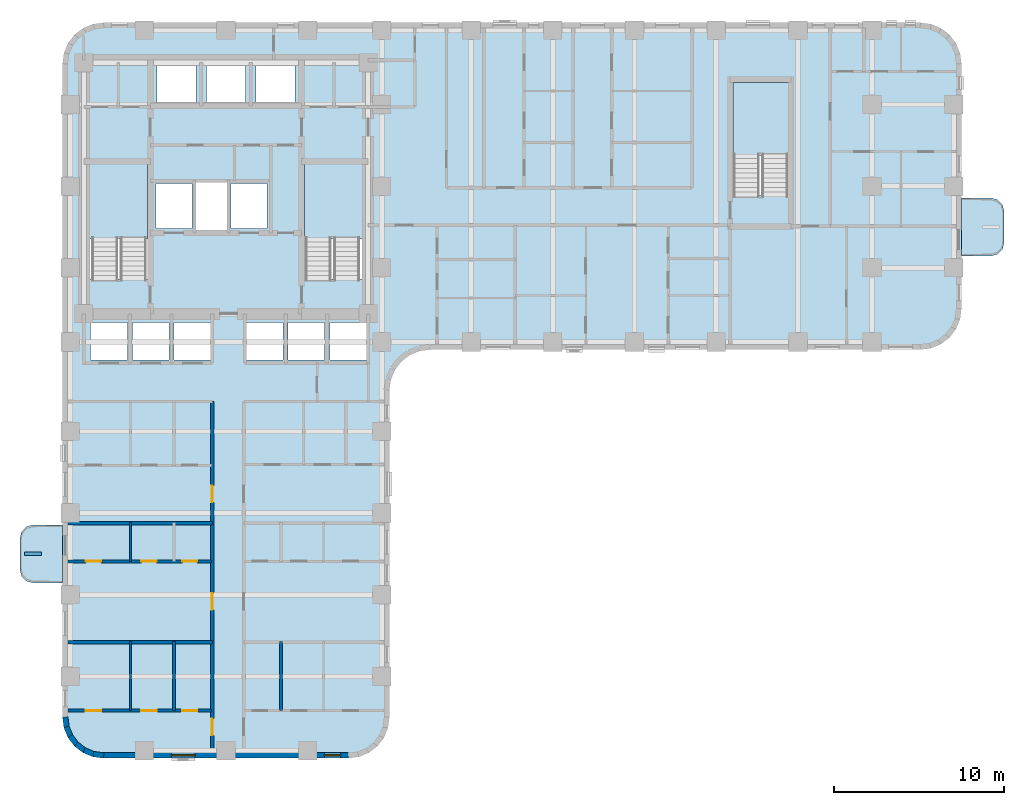
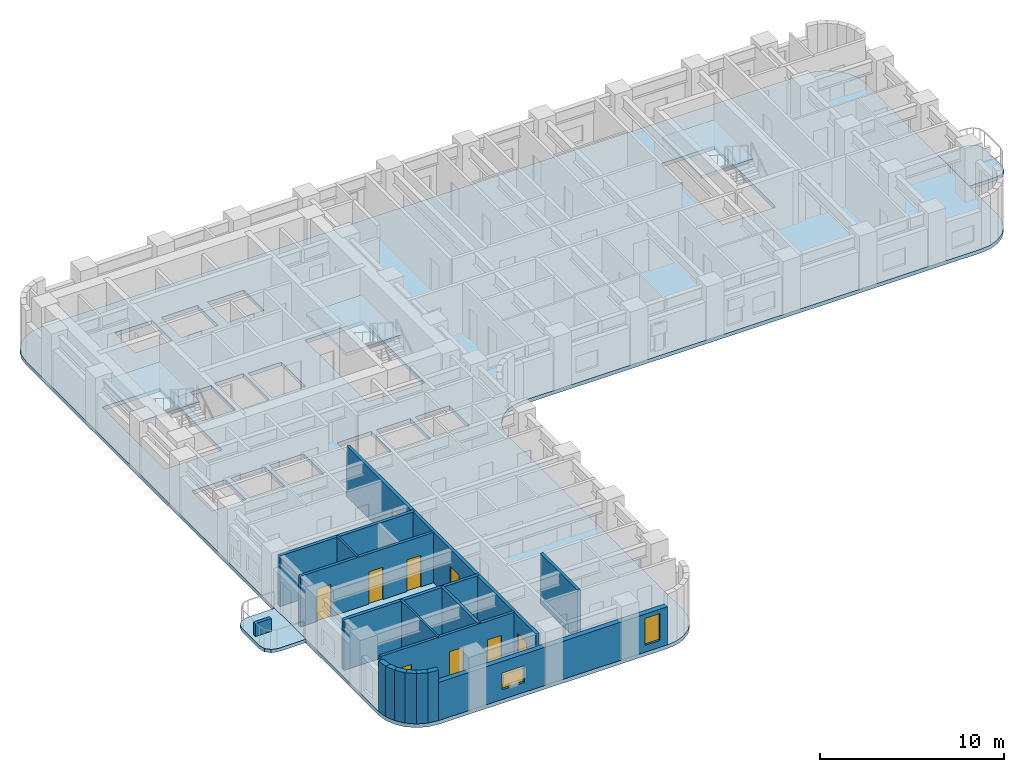
# One storey, part 2 of 10: 17 walls, 9 doors, 6 slabs, 2 windows, 11 openings, 3 elements without a shape of their own.
"""IFC4 building model written with IfcOpenShell, lengths in metres."""

from ifc_helpers import new_model, si_unit, direction, frame, frame_2d, origin, place, context, subcontext, project, spatial, polyline, rectangle, outline, extrude, material, layer, layer_set, type_object, element, fill, aggregate, save


model = new_model("IFC4")

# Units and contexts
model_context = context("Model", 3, precision=1e-05, world=origin(), true_north=direction((0.0, 1.0)))
body_context = subcontext(model_context, "Body", "Model", "MODEL_VIEW")
ifc_project = project(units=[si_unit("LENGTHUNIT", "METRE"), si_unit("AREAUNIT", "SQUARE_METRE"), si_unit("VOLUMEUNIT", "CUBIC_METRE"), si_unit("PLANEANGLEUNIT", "RADIAN"), si_unit("MASSUNIT", "GRAM", prefix="KILO")], contexts=[model_context])

# Site, building, storey
site_placement = place(None, origin())
site = spatial("IfcSite", under=ifc_project, at=site_placement, CompositionType="ELEMENT")
building_placement = place(site_placement, origin())
building = spatial("IfcBuilding", under=site, at=building_placement, Name="Orvandelia Arch Residences", CompositionType="ELEMENT")
storey_placement = place(building_placement, frame((0.0, 0.0, 32.199951171875)))
storey = spatial("IfcBuildingStorey", under=building, at=storey_placement, Name="L07", CompositionType="ELEMENT", Elevation=32.199951171875)

# Slabs
ifc_material_1 = material(Name="Precast concrete C40/50", Category="concrete")
ifc_layer_1 = layer(ifc_material_1, 0.219970703125, Name="Precast concrete C40/50", Category="concrete")
ifc_layer_set_1 = layer_set([ifc_layer_1], Name="Precast concrete C40/50")
slab_type_1 = type_object("IfcSlabType", Name="SLB-BAL-220", PredefinedType="USERDEFINED", material=ifc_layer_set_1)
slab_1_placement = place(storey_placement, frame((0.0, 0.0, -0.219970703125)))
element("IfcSlab", 1, at=slab_1_placement, inside=storey, type_object=slab_type_1, Name="Tree Balcony Cantilever Slab BAL-L07-W1", ObjectType="BALCONY", PredefinedType="USERDEFINED", context=body_context, shape_type="SweptSolid", body=[
    extrude(outline(polyline([(4.800048828125, 15.10009765625), (4.800048828125, 18.5), (3.050048828125, 18.5), (2.675048828125, 18.3994140625), (2.400390625, 18.125), (2.300048828125, 17.75), (2.300048828125, 15.85009765625), (2.400390625, 15.47509765625), (2.675048828125, 15.200439453125), (3.050048828125, 15.10009765625), (4.800048828125, 15.10009765625)])), origin(), (0.0, 0.0, 1.0), 0.219970703125),
])
slab_2_placement = place(storey_placement, frame((0.0, 0.0, -0.219970703125)))
element("IfcSlab", 2, at=slab_2_placement, inside=storey, type_object=slab_type_1, Name="Tree Balcony Cantilever Slab BAL-L07-E1", ObjectType="BALCONY", PredefinedType="USERDEFINED", context=body_context, shape_type="SweptSolid", body=[
    extrude(outline(polyline([(57.60009765625, 37.699951171875), (57.60009765625, 34.300048828125), (59.35009765625, 34.300048828125), (59.72509765625, 34.400390625), (59.99951171875, 34.675048828125), (60.10009765625, 35.050048828125), (60.10009765625, 36.949951171875), (59.99951171875, 37.324951171875), (59.72509765625, 37.599609375), (59.35009765625, 37.699951171875), (57.60009765625, 37.699951171875)])), origin(), (0.0, 0.0, 1.0), 0.219970703125),
])

# Stair, slab
ifc_material_2 = material(Name="Concrete C40/50", Category="concrete")
stair_type = type_object("IfcStairType", Name="STAIR-RC-DOGLEG", PredefinedType="HALF_TURN_STAIR", material=ifc_material_2)
stair_1_placement = place(storey_placement, origin())
stair_1 = element("IfcStair", 3, at=stair_1_placement, inside=storey, type_object=stair_type, Name="L07 Protected Exit Stair ST-1", PredefinedType="HALF_TURN_STAIR")
ifc_layer_2 = layer(ifc_material_2, 0.219970703125, Name="Concrete C40/50", Category="concrete")
ifc_layer_set_2 = layer_set([ifc_layer_2], Name="Concrete C40/50")
slab_type_2 = type_object("IfcSlabType", Name="SLB-LANDING-220", PredefinedType="LANDING", material=ifc_layer_set_2)
slab_3_placement = place(storey_placement, frame((0.0, 0.0, 1.60009765625)))
slab_3 = element("IfcSlab", 4, at=slab_3_placement, type_object=slab_type_2, Name="ST-1 landing 1", PredefinedType="LANDING", context=body_context, shape_type="SweptSolid", body=[
    extrude(outline(polyline([(9.800048828125, 35.31005859375), (9.800048828125, 39.68994140625), (6.260009765625, 39.68994140625), (6.260009765625, 35.31005859375), (9.800048828125, 35.31005859375)])), origin(), (0.0, 0.0, 1.0), 0.199951171875),
])
aggregate(stair_1, [slab_3])

stair_2_placement = place(storey_placement, origin())
stair_2 = element("IfcStair", 5, at=stair_2_placement, inside=storey, type_object=stair_type, Name="L07 Protected Exit Stair ST-2", PredefinedType="HALF_TURN_STAIR")
slab_4_placement = place(storey_placement, frame((0.0, 0.0, 1.60009765625)))
slab_4 = element("IfcSlab", 6, at=slab_4_placement, type_object=slab_type_2, Name="ST-2 landing 1", PredefinedType="LANDING", context=body_context, shape_type="SweptSolid", body=[
    extrude(outline(polyline([(22.5400390625, 35.31005859375), (22.5400390625, 39.68994140625), (19.0, 39.68994140625), (19.0, 35.31005859375), (22.5400390625, 35.31005859375)])), origin(), (0.0, 0.0, 1.0), 0.199951171875),
])
aggregate(stair_2, [slab_4])

stair_3_placement = place(storey_placement, origin())
stair_3 = element("IfcStair", 7, at=stair_3_placement, inside=storey, type_object=stair_type, Name="L07 East Wing Exit Stair ST-3", PredefinedType="HALF_TURN_STAIR")
slab_5_placement = place(storey_placement, frame((0.0, 0.0, 1.60009765625)))
slab_5 = element("IfcSlab", 8, at=slab_5_placement, type_object=slab_type_2, Name="ST-3 landing 1", PredefinedType="LANDING", context=body_context, shape_type="SweptSolid", body=[
    extrude(outline(polyline([(47.43994140625, 40.2099609375), (47.43994140625, 44.5), (44.179931640625, 44.5), (44.179931640625, 40.2099609375), (47.43994140625, 40.2099609375)])), origin(), (0.0, 0.0, 1.0), 0.199951171875),
])
aggregate(stair_3, [slab_5])

# Slab
ifc_layer_3 = layer(ifc_material_2, 0.25, Name="Concrete C40/50", Category="concrete")
ifc_layer_set_3 = layer_set([ifc_layer_3], Name="Concrete C40/50")
slab_type_3 = type_object("IfcSlabType", Name="SLB-TWR-250", PredefinedType="FLOOR", material=ifc_layer_set_3)
slab_6_placement = place(storey_placement, frame((0.0, 0.0, -0.25)))
element("IfcSlab", 9, at=slab_6_placement, inside=storey, type_object=slab_type_3, Name="Structural Floor Slab L07-1", PredefinedType="FLOOR", context=body_context, shape_type="SweptSolid", body=[
    extrude(outline(polyline([(4.800048828125, 7.199951171875), (4.8818359375, 6.578857421875), (5.12158203125, 6.0), (5.5029296875, 5.5029296875), (6.0, 5.12158203125), (6.578857421875, 4.8818359375), (7.199951171875, 4.800048828125), (21.60009765625, 4.800048828125), (22.22119140625, 4.8818359375), (22.800048828125, 5.12158203125), (23.297119140625, 5.5029296875), (23.678466796875, 6.0), (23.918212890625, 6.578857421875), (24.0, 7.199951171875), (24.0, 26.39990234375), (24.081787109375, 27.021240234375), (24.321533203125, 27.60009765625), (24.702880859375, 28.09716796875), (25.199951171875, 28.478515625), (25.77880859375, 28.71826171875), (26.39990234375, 28.800048828125), (55.199951171875, 28.800048828125), (55.8212890625, 28.8818359375), (56.39990234375, 29.12158203125), (56.897216796875, 29.5029296875), (57.278564453125, 30.0), (57.518310546875, 30.578857421875), (57.60009765625, 31.199951171875), (57.60009765625, 45.60009765625), (57.518310546875, 46.22119140625), (57.278564453125, 46.800048828125), (56.897216796875, 47.297119140625), (56.39990234375, 47.678466796875), (55.8212890625, 47.918212890625), (55.199951171875, 48.0), (7.199951171875, 48.0), (6.578857421875, 47.918212890625), (6.0, 47.678466796875), (5.5029296875, 47.297119140625), (5.12158203125, 46.800048828125), (4.8818359375, 46.22119140625), (4.800048828125, 45.60009765625), (4.800048828125, 7.199951171875)]), holes=[polyline([(6.219970703125, 32.949951171875), (9.840087890625, 32.949951171875), (9.840087890625, 39.72998046875), (6.219970703125, 39.72998046875), (6.219970703125, 32.949951171875)]), polyline([(18.9599609375, 32.949951171875), (22.580078125, 32.949951171875), (22.580078125, 39.72998046875), (18.9599609375, 39.72998046875), (18.9599609375, 32.949951171875)]), polyline([(44.139892578125, 37.85009765625), (47.47998046875, 37.85009765625), (47.47998046875, 44.5400390625), (44.139892578125, 44.5400390625), (44.139892578125, 37.85009765625)]), polyline([(12.639892578125, 35.81005859375), (14.4599609375, 35.81005859375), (14.4599609375, 38.639892578125), (12.639892578125, 38.639892578125), (12.639892578125, 35.81005859375)]), polyline([(10.300048828125, 35.89990234375), (12.39990234375, 35.89990234375), (12.39990234375, 38.550048828125), (10.300048828125, 38.550048828125), (10.300048828125, 35.89990234375)]), polyline([(14.699951171875, 35.89990234375), (16.800048828125, 35.89990234375), (16.800048828125, 38.550048828125), (14.699951171875, 38.550048828125), (14.699951171875, 35.89990234375)]), polyline([(10.35009765625, 43.300048828125), (12.64990234375, 43.300048828125), (12.64990234375, 45.5), (10.35009765625, 45.5), (10.35009765625, 43.300048828125)]), polyline([(13.25, 43.300048828125), (15.550048828125, 43.300048828125), (15.550048828125, 45.5), (13.25, 45.5), (13.25, 43.300048828125)]), polyline([(16.14990234375, 43.300048828125), (18.449951171875, 43.300048828125), (18.449951171875, 45.5), (16.14990234375, 45.5), (16.14990234375, 43.300048828125)]), polyline([(6.449951171875, 28.199951171875), (8.60009765625, 28.199951171875), (8.60009765625, 30.39990234375), (6.449951171875, 30.39990234375), (6.449951171875, 28.199951171875)]), polyline([(8.89990234375, 28.199951171875), (11.050048828125, 28.199951171875), (11.050048828125, 30.39990234375), (8.89990234375, 30.39990234375), (8.89990234375, 28.199951171875)]), polyline([(11.35009765625, 28.199951171875), (13.5, 28.199951171875), (13.5, 30.39990234375), (11.35009765625, 30.39990234375), (11.35009765625, 28.199951171875)]), polyline([(15.60009765625, 28.199951171875), (17.75, 28.199951171875), (17.75, 30.39990234375), (15.60009765625, 30.39990234375), (15.60009765625, 28.199951171875)]), polyline([(18.050048828125, 28.199951171875), (20.199951171875, 28.199951171875), (20.199951171875, 30.39990234375), (18.050048828125, 30.39990234375), (18.050048828125, 28.199951171875)]), polyline([(20.5, 28.199951171875), (22.64990234375, 28.199951171875), (22.64990234375, 30.39990234375), (20.5, 30.39990234375), (20.5, 28.199951171875)])]), origin(), (0.0, 0.0, 1.0), 0.25),
])

# Wall, openings, doors
ifc_material_3 = material(Name="Fire-Rated Corridor Partition")
ifc_layer_4 = layer(ifc_material_3, 0.199951171875, Name="Fire-Rated Corridor Partition")
ifc_layer_set_4 = layer_set([ifc_layer_4], Name="Fire-Rated Corridor Partition")
wall_type_1 = type_object("IfcWallType", Name="WL-CORR-200", PredefinedType="PARTITIONING", material=ifc_layer_set_4)
wall_1_placement = place(storey_placement, frame((13.60009765625, 5.1201171875, 0.0), z_axis=(0.0, 0.0, 1.0), x_axis=(0.0, 1.0, 0.0)))
wall_1 = element("IfcWall", 10, at=wall_1_placement, inside=storey, type_object=wall_type_1, Name="Interior Partition Wall WL-L07-WC-W", PredefinedType="PARTITIONING", context=body_context, shape_type="SweptSolid", body=[
    extrude(rectangle(XDim=20.6298828125, YDim=0.199951171875, at=frame_2d((10.31494140625, 0.0))), origin(), (0.0, 0.0, 1.0), 3.35009765625),
])
opening_1_placement = place(wall_1_placement, frame((1.02490234375, 0.0, 0.0)))
opening_1 = element("IfcOpeningElement", 11, at=opening_1_placement, cuts=wall_1, Name="Opening D1", PredefinedType="OPENING", context=body_context, shape_type="SweptSolid", body=[
    extrude(rectangle(XDim=0.97998046875, YDim=2.179931640625, at=frame_2d((0.489990234375, 1.08984375))), frame((0.0, 0.10986328125, 0.0), z_axis=(0.0, -1.0, 0.0), x_axis=(1.0, 0.0, 0.0)), (0.0, 0.0, 1.0), 0.219970703125),
])
opening_2_placement = place(wall_1_placement, frame((8.389892578125, 0.0, 0.0)))
opening_2 = element("IfcOpeningElement", 12, at=opening_2_placement, cuts=wall_1, Name="Opening D1", PredefinedType="OPENING", context=body_context, shape_type="SweptSolid", body=[
    extrude(rectangle(XDim=0.97998046875, YDim=2.179931640625, at=frame_2d((0.489990234375, 1.08984375))), frame((0.0, 0.10986328125, 0.0), z_axis=(0.0, -1.0, 0.0), x_axis=(1.0, 0.0, 0.0)), (0.0, 0.0, 1.0), 0.219970703125),
])
opening_3_placement = place(wall_1_placement, frame((14.7099609375, 0.0, 0.0)))
opening_3 = element("IfcOpeningElement", 13, at=opening_3_placement, cuts=wall_1, Name="Opening D1", PredefinedType="OPENING", context=body_context, shape_type="SweptSolid", body=[
    extrude(rectangle(XDim=0.97998046875, YDim=2.179931640625, at=frame_2d((0.489990234375, 1.08984375))), frame((0.0, 0.10986328125, 0.0), z_axis=(0.0, -1.0, 0.0), x_axis=(1.0, 0.0, 0.0)), (0.0, 0.0, 1.0), 0.219970703125),
])
ifc_material_4 = material(Name="Solid-Core Timber Acoustic Fire Door", Category="wood")
door_type_1 = type_object("IfcDoorType", Name="DR-ENT-980", OperationType="NOTDEFINED", PredefinedType="DOOR", material=ifc_material_4)
door_1_placement = place(opening_1_placement, origin())
door_1 = element("IfcDoor", 14, at=door_1_placement, inside=storey, type_object=door_type_1, Name="Unit L07-01 Entrance Door", OperationType="SINGLE_SWING_LEFT", OverallHeight=2.179931640625, OverallWidth=0.97998046875, PredefinedType="DOOR", context=body_context, shape_type="SweptSolid", body=[
    extrude(rectangle(XDim=0.97998046875, YDim=2.179931640625, at=frame_2d((0.489990234375, 1.08984375))), frame((0.0, 0.02490234375, 0.0), z_axis=(0.0, -1.0, 0.0), x_axis=(1.0, 0.0, 0.0)), (0.0, 0.0, 1.0), 0.050048828125),
])
fill(opening_1, door_1)
door_2_placement = place(opening_2_placement, origin())
door_2 = element("IfcDoor", 15, at=door_2_placement, inside=storey, type_object=door_type_1, Name="Unit L07-02 Entrance Door", OperationType="SINGLE_SWING_RIGHT", OverallHeight=2.179931640625, OverallWidth=0.97998046875, PredefinedType="DOOR", context=body_context, shape_type="SweptSolid", body=[
    extrude(rectangle(XDim=0.97998046875, YDim=2.179931640625, at=frame_2d((0.489990234375, 1.08984375))), frame((0.0, 0.02490234375, 0.0), z_axis=(0.0, -1.0, 0.0), x_axis=(1.0, 0.0, 0.0)), (0.0, 0.0, 1.0), 0.050048828125),
])
fill(opening_2, door_2)
door_3_placement = place(opening_3_placement, origin())
door_3 = element("IfcDoor", 16, at=door_3_placement, inside=storey, type_object=door_type_1, Name="Unit L07-03 Entrance Door", OperationType="SINGLE_SWING_LEFT", OverallHeight=2.179931640625, OverallWidth=0.97998046875, PredefinedType="DOOR", context=body_context, shape_type="SweptSolid", body=[
    extrude(rectangle(XDim=0.97998046875, YDim=2.179931640625, at=frame_2d((0.489990234375, 1.08984375))), frame((0.0, 0.02490234375, 0.0), z_axis=(0.0, -1.0, 0.0), x_axis=(1.0, 0.0, 0.0)), (0.0, 0.0, 1.0), 0.050048828125),
])
fill(opening_3, door_3)

# Walls
ifc_layer_5 = layer(ifc_material_2, 0.199951171875, Name="Concrete C40/50", Category="concrete")
ifc_layer_set_5 = layer_set([ifc_layer_5], Name="Concrete C40/50")
wall_type_2 = type_object("IfcWallType", Name="WL-DEM-200", PredefinedType="SOLIDWALL", material=ifc_layer_set_5)
for number, where, z_axis, x_axis, name in (
    (17, (5.1201171875, 11.60009765625, 0.0), (0.0, 0.0, 1.0), (1.0, 0.0, 0.0), "Interior Partition Wall WL-L07-DEM-WL-116"),
    (18, (5.1201171875, 18.60009765625, 0.0), (0.0, 0.0, 1.0), (1.0, 0.0, 0.0), "Interior Partition Wall WL-L07-DEM-WL-186"),
):
    element("IfcWall", number, at=place(storey_placement, frame(where, z_axis=z_axis, x_axis=x_axis)), inside=storey, type_object=wall_type_2, Name=name, PredefinedType="SOLIDWALL", context=body_context, shape_type="SweptSolid", body=[
        extrude(rectangle(XDim=8.47998046875, YDim=0.199951171875, at=frame_2d((4.239990234375, 0.0))), origin(), (0.0, 0.0, 1.0), 3.35009765625),
    ])

# Wall, openings, windows
ifc_layer_6 = layer(ifc_material_1, 0.320068359375, Name="Precast concrete C40/50", Category="concrete")
ifc_layer_set_6 = layer_set([ifc_layer_6], Name="Precast concrete C40/50")
wall_type_3 = type_object("IfcWallType", Name="WL-EXT-STONE-320", PredefinedType="STANDARD", material=ifc_layer_set_6)
wall_2_placement = place(storey_placement, frame((21.60009765625, 4.9599609375, 0.0), z_axis=(0.0, 0.0, 1.0), x_axis=(-1.0, 0.0, 0.0)))
wall_2 = element("IfcWall", 19, at=wall_2_placement, inside=storey, type_object=wall_type_3, Name="Coral-Limestone Precast Facade Wall L07-035", PredefinedType="STANDARD", context=body_context, shape_type="SweptSolid", body=[
    extrude(rectangle(XDim=14.400146484375, YDim=0.320068359375, at=frame_2d((7.2001953125, 0.0))), origin(), (0.0, 0.0, 1.0), 2.530029296875),
])
opening_4_placement = place(wall_2_placement, frame((9.014892578125, 0.0, 0.64990234375)))
opening_4 = element("IfcOpeningElement", 20, at=opening_4_placement, cuts=wall_2, Name="Opening W10", PredefinedType="OPENING", context=body_context, shape_type="SweptSolid", body=[
    extrude(rectangle(XDim=1.39990234375, YDim=1.10009765625, at=frame_2d((0.699951171875, 0.550048828125))), frame((0.0, 0.169921875, 0.0), z_axis=(0.0, -1.0, 0.0), x_axis=(1.0, 0.0, 0.0)), (0.0, 0.0, 1.0), 0.340087890625),
])
opening_5_placement = place(wall_2_placement, frame((0.469970703125, 0.0, 0.449951171875)))
opening_5 = element("IfcOpeningElement", 21, at=opening_5_placement, cuts=wall_2, Name="Opening W4", PredefinedType="OPENING", context=body_context, shape_type="SweptSolid", body=[
    extrude(rectangle(XDim=0.949951171875, YDim=1.800048828125, at=frame_2d((0.47509765625, 0.89990234375))), frame((0.0, 0.169921875, 0.0), z_axis=(0.0, -1.0, 0.0), x_axis=(1.0, 0.0, 0.0)), (0.0, 0.0, 1.0), 0.340087890625),
])
ifc_material_5 = material(Name="Tempered Low-E Insulated Glazing", Category="glass")
window_type_1 = type_object("IfcWindowType", Name="WIN-CLR-1400x1100", PartitioningType="SINGLE_PANEL", PredefinedType="WINDOW", material=ifc_material_5)
window_1_placement = place(opening_4_placement, origin())
window_1 = element("IfcWindow", 22, at=window_1_placement, inside=storey, type_object=window_type_1, Name="Recessed Punched Window L07-027", OverallHeight=1.10009765625, OverallWidth=1.39990234375, PartitioningType="SINGLE_PANEL", PredefinedType="WINDOW", context=body_context, shape_type="SweptSolid", body=[
    extrude(rectangle(XDim=1.39990234375, YDim=1.10009765625, at=frame_2d((0.699951171875, 0.550048828125))), frame((0.0, 0.030029296875, 0.0), z_axis=(0.0, -1.0, 0.0), x_axis=(1.0, 0.0, 0.0)), (0.0, 0.0, 1.0), 0.06005859375),
])
fill(opening_4, window_1)
window_type_2 = type_object("IfcWindowType", Name="WIN-RES-0950x1800", PartitioningType="SINGLE_PANEL", PredefinedType="WINDOW", material=ifc_material_5)
window_2_placement = place(opening_5_placement, origin())
window_2 = element("IfcWindow", 23, at=window_2_placement, inside=storey, type_object=window_type_2, Name="Recessed Punched Window L07-028", OverallHeight=1.800048828125, OverallWidth=0.949951171875, PartitioningType="SINGLE_PANEL", PredefinedType="WINDOW", context=body_context, shape_type="SweptSolid", body=[
    extrude(rectangle(XDim=0.949951171875, YDim=1.800048828125, at=frame_2d((0.47509765625, 0.89990234375))), frame((0.0, 0.030029296875, 0.0), z_axis=(0.0, -1.0, 0.0), x_axis=(1.0, 0.0, 0.0)), (0.0, 0.0, 1.0), 0.06005859375),
])
fill(opening_5, window_2)

# Walls
wall_3_placement = place(storey_placement, frame((7.220947265625, 4.95849609375, 0.0), z_axis=(0.0, 0.0, 1.0), x_axis=(-0.991447664465, 0.130504898859, 0.0)))
element("IfcWall", 24, at=wall_3_placement, inside=storey, type_object=wall_type_3, Name="Coral-Limestone Precast Facade Wall L07-036", PredefinedType="STANDARD", context=body_context, shape_type="SweptSolid", body=[
    extrude(rectangle(XDim=0.626708984375, YDim=0.320068359375, at=frame_2d((0.3134765625, 0.0))), origin(), (0.0, 0.0, 1.0), 3.35009765625),
])
wall_4_placement = place(storey_placement, frame((6.639892578125, 5.029541015625, 0.0), z_axis=(0.0, 0.0, 1.0), x_axis=(-0.923836271867, 0.382787856107, 0.0)))
element("IfcWall", 25, at=wall_4_placement, inside=storey, type_object=wall_type_3, Name="Coral-Limestone Precast Facade Wall L07-037", PredefinedType="STANDARD", context=body_context, shape_type="SweptSolid", body=[
    extrude(rectangle(XDim=0.626220703125, YDim=0.320068359375, at=frame_2d((0.31298828125, 0.0))), origin(), (0.0, 0.0, 1.0), 3.35009765625),
])
for number, where, z_axis, x_axis, name in (
    (26, (6.097412109375, 5.248291015625, 0.0), (0.0, 0.0, 1.0), (-0.7932174212, 0.608938521285, 0.0), "Coral-Limestone Precast Facade Wall L07-038"),
    (27, (5.6298828125, 5.600341796875, 0.0), (0.0, 0.0, 1.0), (-0.608938521285, 0.7932174212, 0.0), "Coral-Limestone Precast Facade Wall L07-039"),
):
    element("IfcWall", number, at=place(storey_placement, frame(where, z_axis=z_axis, x_axis=x_axis)), inside=storey, type_object=wall_type_3, Name=name, PredefinedType="STANDARD", context=body_context, shape_type="SweptSolid", body=[
        extrude(rectangle(XDim=0.626708984375, YDim=0.320068359375, at=frame_2d((0.3134765625, 0.0))), origin(), (0.0, 0.0, 1.0), 3.35009765625),
    ])
wall_5_placement = place(storey_placement, frame((5.269287109375, 6.061279296875, 0.0), z_axis=(0.0, 0.0, 1.0), x_axis=(-0.382787856107, 0.923836271867, 0.0)))
element("IfcWall", 28, at=wall_5_placement, inside=storey, type_object=wall_type_3, Name="Coral-Limestone Precast Facade Wall L07-040", PredefinedType="STANDARD", context=body_context, shape_type="SweptSolid", body=[
    extrude(rectangle(XDim=0.626220703125, YDim=0.320068359375, at=frame_2d((0.31298828125, 0.0))), origin(), (0.0, 0.0, 1.0), 3.35009765625),
])
wall_6_placement = place(storey_placement, frame((5.040283203125, 6.599609375, 0.0), z_axis=(0.0, 0.0, 1.0), x_axis=(-0.130504898859, 0.991447664465, 0.0)))
element("IfcWall", 29, at=wall_6_placement, inside=storey, type_object=wall_type_3, Name="Coral-Limestone Precast Facade Wall L07-041", PredefinedType="STANDARD", context=body_context, shape_type="SweptSolid", body=[
    extrude(rectangle(XDim=0.626708984375, YDim=0.320068359375, at=frame_2d((0.3134765625, 0.0))), origin(), (0.0, 0.0, 1.0), 3.35009765625),
])
ifc_material_6 = material(Name="Lightweight Gypsum Stud Partition")
ifc_layer_7 = layer(ifc_material_6, 0.1201171875, Name="Lightweight Gypsum Stud Partition")
ifc_layer_set_7 = layer_set([ifc_layer_7], Name="Lightweight Gypsum Stud Partition")
wall_type_4 = type_object("IfcWallType", Name="WL-PART-120", PredefinedType="PARTITIONING", material=ifc_layer_set_7)
wall_7_placement = place(storey_placement, frame((8.791015625, 7.590087890625, 0.0), z_axis=(0.0, 0.0, 1.0), x_axis=(0.0, 1.0, 0.0)))
element("IfcWall", 30, at=wall_7_placement, inside=storey, type_object=wall_type_4, Name="Interior Partition Wall WL-L07-U01-V1", PredefinedType="PARTITIONING", context=body_context, shape_type="SweptSolid", body=[
    extrude(rectangle(XDim=4.0498046875, YDim=0.1201171875, at=frame_2d((2.02490234375, 0.0))), origin(), (0.0, 0.0, 1.0), 3.35009765625),
])
wall_8_placement = place(storey_placement, frame((8.791015625, 16.360107421875, 0.0), z_axis=(0.0, 0.0, 1.0), x_axis=(0.0, 1.0, 0.0)))
element("IfcWall", 31, at=wall_8_placement, inside=storey, type_object=wall_type_4, Name="Interior Partition Wall WL-L07-U02-V1", PredefinedType="PARTITIONING", context=body_context, shape_type="SweptSolid", body=[
    extrude(rectangle(XDim=2.27978515625, YDim=0.1201171875, at=frame_2d((1.139892578125, 0.0))), origin(), (0.0, 0.0, 1.0), 3.35009765625),
])
ifc_layer_8 = layer(ifc_material_1, 0.199951171875, Name="Precast concrete C40/50", Category="concrete")
ifc_layer_set_8 = layer_set([ifc_layer_8], Name="Precast concrete C40/50")
wall_type_5 = type_object("IfcWallType", Name="WL-PLANTER-200", PredefinedType="MOVABLE", material=ifc_layer_set_8)
wall_9_placement = place(storey_placement, frame((2.550048828125, 16.800048828125, 0.0), z_axis=(0.0, 0.0, 1.0), x_axis=(1.0, 0.0, 0.0)))
element("IfcWall", 32, at=wall_9_placement, inside=storey, type_object=wall_type_5, Name="Balcony Precast Tree Planter BAL-L07-W1", PredefinedType="MOVABLE", context=body_context, shape_type="SweptSolid", body=[
    extrude(rectangle(XDim=1.0, YDim=0.199951171875, at=frame_2d((0.5, 0.0))), origin(), (0.0, 0.0, 1.0), 0.85009765625),
])

# Wall, openings, doors
ifc_material_7 = material(Name="Moisture-Resistant Plumbing Wall")
ifc_layer_9 = layer(ifc_material_7, 0.179931640625, Name="Moisture-Resistant Plumbing Wall")
ifc_layer_set_9 = layer_set([ifc_layer_9], Name="Moisture-Resistant Plumbing Wall")
wall_type_6 = type_object("IfcWallType", Name="WL-WET-180", PredefinedType="PLUMBINGWALL", material=ifc_layer_set_9)
wall_10_placement = place(storey_placement, frame((5.1201171875, 7.590087890625, 0.0), z_axis=(0.0, 0.0, 1.0), x_axis=(1.0, 0.0, 0.0)))
wall_10 = element("IfcWall", 33, at=wall_10_placement, inside=storey, type_object=wall_type_6, Name="Interior Partition Wall WL-L07-U01-HZ", PredefinedType="PLUMBINGWALL", context=body_context, shape_type="SweptSolid", body=[
    extrude(rectangle(XDim=8.419921875, YDim=0.179931640625, at=frame_2d((4.2099609375, 0.0))), origin(), (0.0, 0.0, 1.0), 3.35009765625),
])
opening_6_placement = place(wall_10_placement, frame((1.04638671875, 0.0, 0.0)))
opening_6 = element("IfcOpeningElement", 34, at=opening_6_placement, cuts=wall_10, Name="Opening D3", PredefinedType="OPENING", context=body_context, shape_type="SweptSolid", body=[
    extrude(rectangle(XDim=0.89990234375, YDim=2.14990234375, at=frame_2d((0.449951171875, 1.074951171875))), frame((0.0, 0.10009765625, 0.0), z_axis=(0.0, -1.0, 0.0), x_axis=(1.0, 0.0, 0.0)), (0.0, 0.0, 1.0), 0.199951171875),
])
opening_7_placement = place(wall_10_placement, frame((4.307373046875, 0.0, 0.0)))
opening_7 = element("IfcOpeningElement", 35, at=opening_7_placement, cuts=wall_10, Name="Opening D3", PredefinedType="OPENING", context=body_context, shape_type="SweptSolid", body=[
    extrude(rectangle(XDim=0.89990234375, YDim=2.14990234375, at=frame_2d((0.449951171875, 1.074951171875))), frame((0.0, 0.10009765625, 0.0), z_axis=(0.0, -1.0, 0.0), x_axis=(1.0, 0.0, 0.0)), (0.0, 0.0, 1.0), 0.199951171875),
])
opening_8_placement = place(wall_10_placement, frame((6.723388671875, 0.0, 0.0)))
opening_8 = element("IfcOpeningElement", 36, at=opening_8_placement, cuts=wall_10, Name="Opening D4", PredefinedType="OPENING", context=body_context, shape_type="SweptSolid", body=[
    extrude(rectangle(XDim=0.860107421875, YDim=2.10009765625, at=frame_2d((0.43017578125, 1.050048828125))), frame((0.0, 0.10009765625, 0.0), z_axis=(0.0, -1.0, 0.0), x_axis=(1.0, 0.0, 0.0)), (0.0, 0.0, 1.0), 0.199951171875),
])
ifc_material_8 = material(Name="Engineered Timber Flush Door", Category="wood")
door_type_2 = type_object("IfcDoorType", Name="DR-INT-900", OperationType="NOTDEFINED", PredefinedType="DOOR", material=ifc_material_8)
door_4_placement = place(opening_6_placement, origin())
door_4 = element("IfcDoor", 37, at=door_4_placement, inside=storey, type_object=door_type_2, Name="DR-L07-U01-BD1", OperationType="SINGLE_SWING_LEFT", OverallHeight=2.14990234375, OverallWidth=0.89990234375, PredefinedType="DOOR", context=body_context, shape_type="SweptSolid", body=[
    extrude(rectangle(XDim=0.89990234375, YDim=2.14990234375, at=frame_2d((0.449951171875, 1.074951171875))), frame((0.0, 0.02490234375, 0.0), z_axis=(0.0, -1.0, 0.0), x_axis=(1.0, 0.0, 0.0)), (0.0, 0.0, 1.0), 0.050048828125),
])
fill(opening_6, door_4)
door_5_placement = place(opening_7_placement, origin())
door_5 = element("IfcDoor", 38, at=door_5_placement, inside=storey, type_object=door_type_2, Name="DR-L07-U01-KIT", OperationType="SINGLE_SWING_RIGHT", OverallHeight=2.14990234375, OverallWidth=0.89990234375, PredefinedType="DOOR", context=body_context, shape_type="SweptSolid", body=[
    extrude(rectangle(XDim=0.89990234375, YDim=2.14990234375, at=frame_2d((0.449951171875, 1.074951171875))), frame((0.0, 0.02490234375, 0.0), z_axis=(0.0, -1.0, 0.0), x_axis=(1.0, 0.0, 0.0)), (0.0, 0.0, 1.0), 0.050048828125),
])
fill(opening_7, door_5)
ifc_material_9 = material(Name="Moisture-Sealed Timber Bathroom Door", Category="wood")
door_type_3 = type_object("IfcDoorType", Name="DR-WET-900", OperationType="NOTDEFINED", PredefinedType="DOOR", material=ifc_material_9)
door_6_placement = place(opening_8_placement, origin())
door_6 = element("IfcDoor", 39, at=door_6_placement, inside=storey, type_object=door_type_3, Name="DR-L07-U01-BTH", OperationType="SINGLE_SWING_LEFT", OverallHeight=2.10009765625, OverallWidth=0.860107421875, PredefinedType="DOOR", context=body_context, shape_type="SweptSolid", body=[
    extrude(rectangle(XDim=0.860107421875, YDim=2.10009765625, at=frame_2d((0.43017578125, 1.050048828125))), frame((0.0, 0.02490234375, 0.0), z_axis=(0.0, -1.0, 0.0), x_axis=(1.0, 0.0, 0.0)), (0.0, 0.0, 1.0), 0.050048828125),
])
fill(opening_8, door_6)

# Wall
wall_11_placement = place(storey_placement, frame((11.35498046875, 7.590087890625, 0.0), z_axis=(0.0, 0.0, 1.0), x_axis=(0.0, 1.0, 0.0)))
element("IfcWall", 40, at=wall_11_placement, inside=storey, type_object=wall_type_6, Name="Interior Partition Wall WL-L07-U01-V2", PredefinedType="PLUMBINGWALL", context=body_context, shape_type="SweptSolid", body=[
    extrude(rectangle(XDim=4.0498046875, YDim=0.179931640625, at=frame_2d((2.02490234375, 0.0))), origin(), (0.0, 0.0, 1.0), 3.35009765625),
])

# Wall, openings, doors
wall_12_placement = place(storey_placement, frame((5.1201171875, 16.360107421875, 0.0), z_axis=(0.0, 0.0, 1.0), x_axis=(1.0, 0.0, 0.0)))
wall_12 = element("IfcWall", 41, at=wall_12_placement, inside=storey, type_object=wall_type_6, Name="Interior Partition Wall WL-L07-U02-HZ", PredefinedType="PLUMBINGWALL", context=body_context, shape_type="SweptSolid", body=[
    extrude(rectangle(XDim=8.419921875, YDim=0.179931640625, at=frame_2d((4.2099609375, 0.0))), origin(), (0.0, 0.0, 1.0), 3.35009765625),
])
opening_9_placement = place(wall_12_placement, frame((1.04638671875, 0.0, 0.0)))
opening_9 = element("IfcOpeningElement", 42, at=opening_9_placement, cuts=wall_12, Name="Opening D3", PredefinedType="OPENING", context=body_context, shape_type="SweptSolid", body=[
    extrude(rectangle(XDim=0.89990234375, YDim=2.14990234375, at=frame_2d((0.449951171875, 1.074951171875))), frame((0.0, 0.10009765625, 0.0), z_axis=(0.0, -1.0, 0.0), x_axis=(1.0, 0.0, 0.0)), (0.0, 0.0, 1.0), 0.199951171875),
])
opening_10_placement = place(wall_12_placement, frame((4.307373046875, 0.0, 0.0)))
opening_10 = element("IfcOpeningElement", 43, at=opening_10_placement, cuts=wall_12, Name="Opening D3", PredefinedType="OPENING", context=body_context, shape_type="SweptSolid", body=[
    extrude(rectangle(XDim=0.89990234375, YDim=2.14990234375, at=frame_2d((0.449951171875, 1.074951171875))), frame((0.0, 0.10009765625, 0.0), z_axis=(0.0, -1.0, 0.0), x_axis=(1.0, 0.0, 0.0)), (0.0, 0.0, 1.0), 0.199951171875),
])
opening_11_placement = place(wall_12_placement, frame((6.723388671875, 0.0, 0.0)))
opening_11 = element("IfcOpeningElement", 44, at=opening_11_placement, cuts=wall_12, Name="Opening D4", PredefinedType="OPENING", context=body_context, shape_type="SweptSolid", body=[
    extrude(rectangle(XDim=0.860107421875, YDim=2.10009765625, at=frame_2d((0.43017578125, 1.050048828125))), frame((0.0, 0.10009765625, 0.0), z_axis=(0.0, -1.0, 0.0), x_axis=(1.0, 0.0, 0.0)), (0.0, 0.0, 1.0), 0.199951171875),
])
door_7_placement = place(opening_9_placement, origin())
door_7 = element("IfcDoor", 45, at=door_7_placement, inside=storey, type_object=door_type_2, Name="DR-L07-U02-BD1", OperationType="SINGLE_SWING_RIGHT", OverallHeight=2.14990234375, OverallWidth=0.89990234375, PredefinedType="DOOR", context=body_context, shape_type="SweptSolid", body=[
    extrude(rectangle(XDim=0.89990234375, YDim=2.14990234375, at=frame_2d((0.449951171875, 1.074951171875))), frame((0.0, 0.02490234375, 0.0), z_axis=(0.0, -1.0, 0.0), x_axis=(1.0, 0.0, 0.0)), (0.0, 0.0, 1.0), 0.050048828125),
])
fill(opening_9, door_7)
door_8_placement = place(opening_10_placement, origin())
door_8 = element("IfcDoor", 46, at=door_8_placement, inside=storey, type_object=door_type_2, Name="DR-L07-U02-KIT", OperationType="SINGLE_SWING_LEFT", OverallHeight=2.14990234375, OverallWidth=0.89990234375, PredefinedType="DOOR", context=body_context, shape_type="SweptSolid", body=[
    extrude(rectangle(XDim=0.89990234375, YDim=2.14990234375, at=frame_2d((0.449951171875, 1.074951171875))), frame((0.0, 0.02490234375, 0.0), z_axis=(0.0, -1.0, 0.0), x_axis=(1.0, 0.0, 0.0)), (0.0, 0.0, 1.0), 0.050048828125),
])
fill(opening_10, door_8)
door_9_placement = place(opening_11_placement, origin())
door_9 = element("IfcDoor", 47, at=door_9_placement, inside=storey, type_object=door_type_3, Name="DR-L07-U02-BTH", OperationType="SINGLE_SWING_RIGHT", OverallHeight=2.10009765625, OverallWidth=0.860107421875, PredefinedType="DOOR", context=body_context, shape_type="SweptSolid", body=[
    extrude(rectangle(XDim=0.860107421875, YDim=2.10009765625, at=frame_2d((0.43017578125, 1.050048828125))), frame((0.0, 0.02490234375, 0.0), z_axis=(0.0, -1.0, 0.0), x_axis=(1.0, 0.0, 0.0)), (0.0, 0.0, 1.0), 0.050048828125),
])
fill(opening_11, door_9)

# Wall
wall_13_placement = place(storey_placement, frame((17.6298828125, 7.590087890625, 0.0), z_axis=(0.0, 0.0, 1.0), x_axis=(0.0, 1.0, 0.0)))
element("IfcWall", 48, at=wall_13_placement, inside=storey, type_object=wall_type_6, Name="Interior Partition Wall WL-L07-U04-V1", PredefinedType="PLUMBINGWALL", context=body_context, shape_type="SweptSolid", body=[
    extrude(rectangle(XDim=4.0498046875, YDim=0.179931640625, at=frame_2d((2.02490234375, 0.0))), origin(), (0.0, 0.0, 1.0), 3.35009765625),
])

save(model, "model.ifc")
